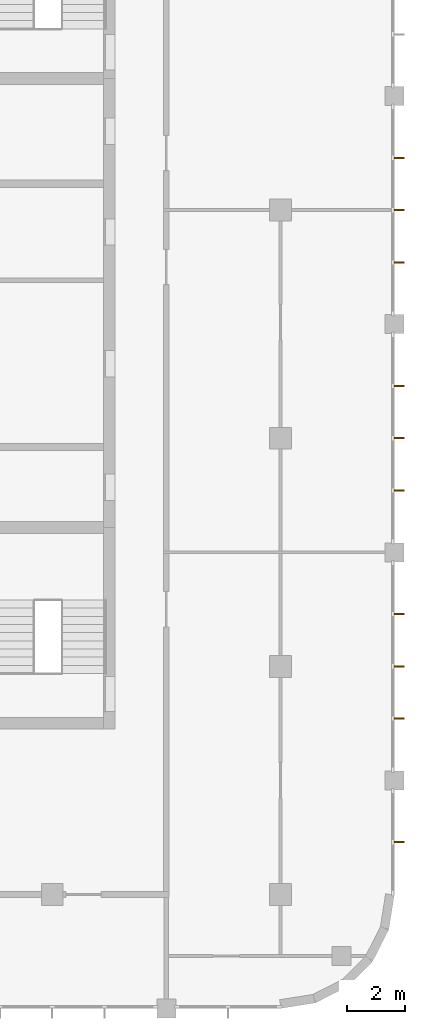
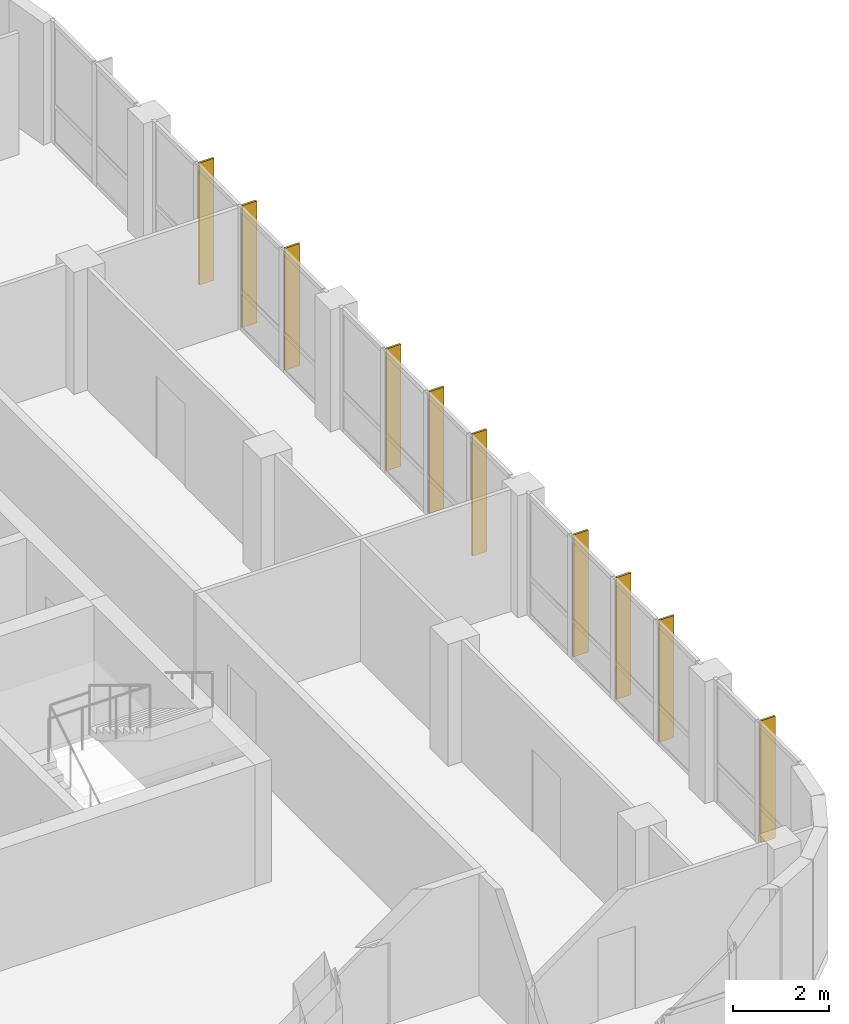
# One storey, part 16 of 17: 10 shading devices.
"""IFC4 building model written with IfcOpenShell, lengths in metres."""

from ifc_helpers import new_model, si_unit, direction, frame, origin, origin_2d, place, context, subcontext, project, spatial, rectangle, extrude, material, layer, layer_set, type_object, element, save


model = new_model("IFC4")

# Units and contexts
model_context = context("Model", 3, precision=1e-05, world=origin(), true_north=direction((0.0, 1.0)))
body_context = subcontext(model_context, "Body", "Model", "MODEL_VIEW")
ifc_project = project(units=[si_unit("LENGTHUNIT", "METRE"), si_unit("AREAUNIT", "SQUARE_METRE"), si_unit("VOLUMEUNIT", "CUBIC_METRE"), si_unit("PLANEANGLEUNIT", "RADIAN"), si_unit("MASSUNIT", "GRAM", prefix="KILO")], contexts=[model_context])

# Site, building, storey
site_placement = place(None, origin())
site = spatial("IfcSite", under=ifc_project, at=site_placement, CompositionType="ELEMENT")
building_placement = place(site_placement, origin())
building = spatial("IfcBuilding", under=site, at=building_placement, Name="Ludao Terraces", CompositionType="ELEMENT")
storey_placement = place(building_placement, frame((0.0, 0.0, 263.0)))
storey = spatial("IfcBuildingStorey", under=building, at=storey_placement, Name="L72", CompositionType="ELEMENT", Elevation=263.0)

# Shading devices
ifc_material = material(Name="Aluminium 6063-T6", Category="aluminium")
ifc_layer = layer(ifc_material, 0.050048828125)
ifc_layer_set = layer_set([ifc_layer], Name="ENV Sun fin 50x350")
shading_device_type = type_object("IfcShadingDeviceType", Name="ENV Sun fin 50x350", PredefinedType="USERDEFINED", material=ifc_layer_set)
for number, where, z_axis, x_axis, name in (
    (1, (104.655029296875, 51.1875, 0.0), (0.0, 0.0, 1.0), (1.0, 0.0, 0.0), "FN-CW-L72-E1-1"),
    (2, (104.655029296875, 55.41259765625, 0.0), (0.0, 0.0, 1.0), (1.0, 0.0, 0.0), "FN-CW-L72-E2-1"),
    (3, (104.655029296875, 57.199951171875, 0.0), (0.0, 0.0, 1.0), (1.0, 0.0, 0.0), "FN-CW-L72-E2-2"),
    (4, (104.655029296875, 58.987548828125, 0.0), (0.0, 0.0, 1.0), (1.0, 0.0, 0.0), "FN-CW-L72-E2-3"),
    (5, (104.655029296875, 63.21240234375, 0.0), (0.0, 0.0, 1.0), (1.0, 0.0, 0.0), "FN-CW-L72-E3-1"),
    (6, (104.655029296875, 65.0, 0.0), (0.0, 0.0, 1.0), (1.0, 0.0, 0.0), "FN-CW-L72-E3-2"),
    (7, (104.655029296875, 66.78759765625, 0.0), (0.0, 0.0, 1.0), (1.0, 0.0, 0.0), "FN-CW-L72-E3-3"),
    (8, (104.655029296875, 71.012451171875, 0.0), (0.0, 0.0, 1.0), (1.0, 0.0, 0.0), "FN-CW-L72-E4-1"),
    (9, (104.655029296875, 72.800048828125, 0.0), (0.0, 0.0, 1.0), (1.0, 0.0, 0.0), "FN-CW-L72-E4-2"),
    (10, (104.655029296875, 74.58740234375, 0.0), (0.0, 0.0, 1.0), (1.0, 0.0, 0.0), "FN-CW-L72-E4-3"),
):
    element("IfcShadingDevice", number, at=place(storey_placement, frame(where, z_axis=z_axis, x_axis=x_axis)), inside=storey, type_object=shading_device_type, Name=name, ObjectType="FIN", PredefinedType="USERDEFINED", context=body_context, shape_type="SweptSolid", body=[
        extrude(rectangle(XDim=0.35009765625, YDim=0.050048828125, at=origin_2d()), origin(), (0.0, 0.0, 1.0), 3.10009765625),
    ])

save(model, "model.ifc")
